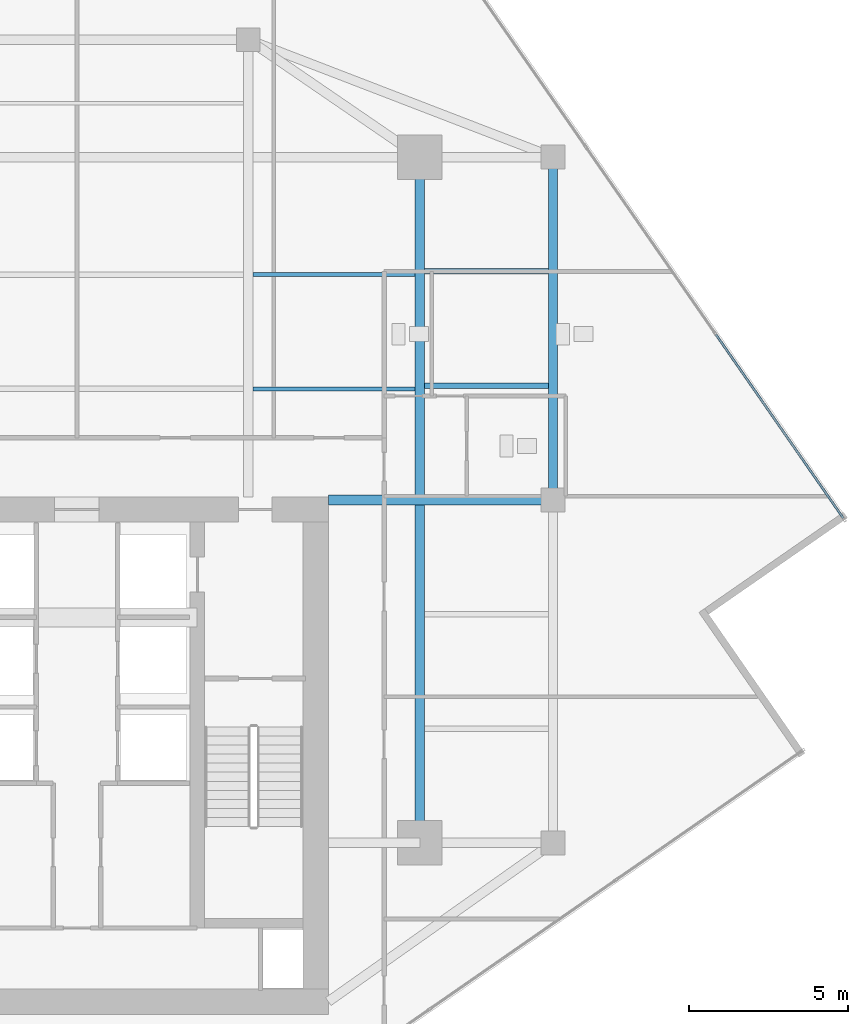
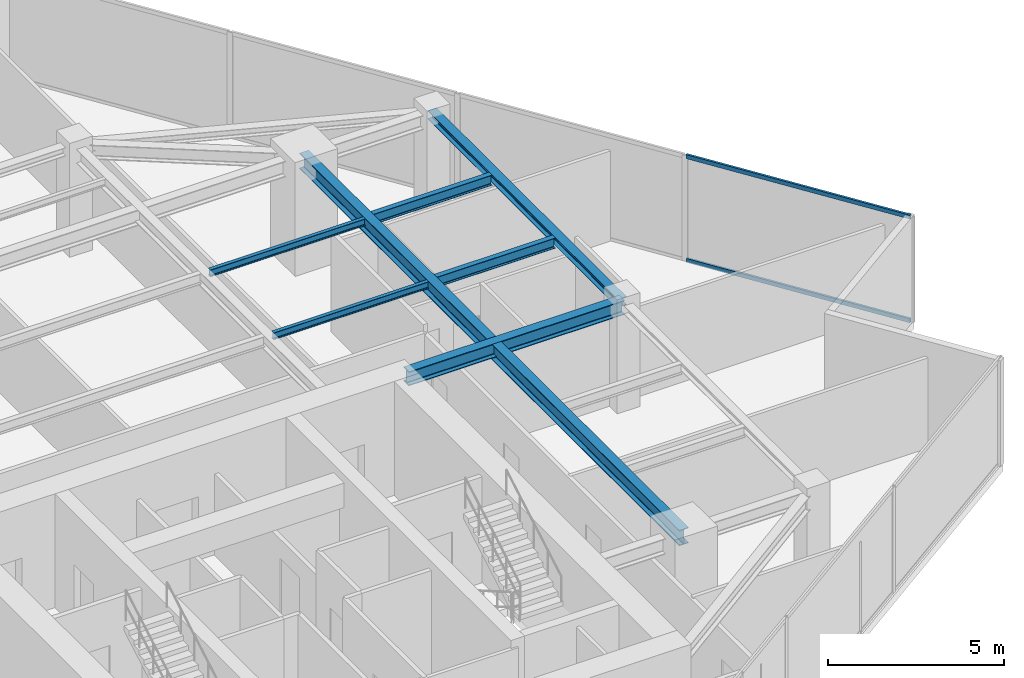
# One storey, part 10 of 21: 7 beams, 2 members, 1 element without a shape of its own.
"""IFC4 building model written with IfcOpenShell, lengths in metres."""

from ifc_helpers import new_model, si_unit, direction, frame, origin, origin_2d, place, context, subcontext, project, spatial, hollow_rectangle, i_section, extrude, source, transform, mapped, material, material_profile, profile_set, type_object, type_shapes, element, aggregate, save


model = new_model("IFC4")

# Units and contexts
model_context = context("Model", 3, precision=1e-05, world=origin(), true_north=direction((0.0, 1.0)))
body_context = subcontext(model_context, "Body", "Model", "MODEL_VIEW")
ifc_project = project(units=[si_unit("LENGTHUNIT", "METRE"), si_unit("AREAUNIT", "SQUARE_METRE"), si_unit("VOLUMEUNIT", "CUBIC_METRE"), si_unit("PLANEANGLEUNIT", "RADIAN"), si_unit("MASSUNIT", "GRAM", prefix="KILO")], contexts=[model_context])

# Site, building, storey
site_placement = place(None, origin())
site = spatial("IfcSite", under=ifc_project, at=site_placement, CompositionType="ELEMENT")
building_placement = place(site_placement, origin())
building = spatial("IfcBuilding", under=site, at=building_placement, Name="Krantzveldt Concourse Tower", CompositionType="ELEMENT")
storey_placement = place(building_placement, frame((0.0, 0.0, 279.25)))
storey = spatial("IfcBuildingStorey", under=building, at=storey_placement, Name="L68", CompositionType="ELEMENT", Elevation=279.25)

# Beams
ifc_material_1 = material(Name="Steel S355JR", Category="steel")
ifc_material_profile_1 = material_profile(ifc_material_1, i_section(OverallWidth=0.300048828125, OverallDepth=0.489990234375, WebThickness=0.011962890625, FlangeThickness=0.02294921875, FilletRadius=0.027099609375, at=origin_2d()), Name="Steel S355JR", Category="steel")
ifc_profile_set_1 = profile_set([ifc_material_profile_1], Name="Steel S355JR - HEA 500")
beam_type_1 = type_object("IfcBeamType", Name="BM-B-HEA500", PredefinedType="BEAM", material=ifc_profile_set_1)
shared_shape_1 = source(origin(), body_context, "Body", "SweptSolid", [
    extrude(i_section(OverallWidth=0.300048828125, OverallDepth=0.489990234375, WebThickness=0.011962890625, FlangeThickness=0.02294921875, FilletRadius=0.027099609375, at=origin_2d()), origin(), (0.0, 0.0, 1.0), 7.080078125),
])
type_shapes(beam_type_1, [shared_shape_1])
beam_1_placement = place(storey_placement, frame((43.919921875, 26.699951171875, 3.425048828125), z_axis=(1.0, 0.0, 0.0), x_axis=(0.0, 1.0, 0.0)))
element("IfcBeam", 1, at=beam_1_placement, inside=storey, type_object=beam_type_1, Name="L68 Tower Girder BG-CE2", PredefinedType="BEAM", context=body_context, shape_type="MappedRepresentation", body=[
    mapped(shared_shape_1, transform((0.0, 0.0, 0.0), x_axis=(1.0, 0.0, 0.0), y_axis=(0.0, 1.0, 0.0), z_axis=(0.0, 0.0, 1.0), scale=1.0)),
])
ifc_material_profile_2 = material_profile(ifc_material_1, i_section(OverallWidth=0.300048828125, OverallDepth=0.5400390625, WebThickness=0.012451171875, FlangeThickness=0.02392578125, FilletRadius=0.027099609375, at=origin_2d()), Name="Steel S355JR", Category="steel")
ifc_profile_set_2 = profile_set([ifc_material_profile_2], Name="Steel S355JR - HEA 550")
beam_type_2 = type_object("IfcBeamType", Name="BM-B-HEA550", PredefinedType="BEAM", material=ifc_profile_set_2)
shared_shape_2 = source(origin(), body_context, "Body", "SweptSolid", [
    extrude(i_section(OverallWidth=0.300048828125, OverallDepth=0.5400390625, WebThickness=0.012451171875, FlangeThickness=0.02392578125, FilletRadius=0.027099609375, at=origin_2d()), origin(), (0.0, 0.0, 1.0), 21.60009765625),
])
type_shapes(beam_type_2, [shared_shape_2])
beam_2_placement = place(storey_placement, frame((46.800048828125, 15.89990234375, 3.39990234375), z_axis=(0.0, 1.0, 0.0), x_axis=(-1.0, 0.0, 0.0)))
element("IfcBeam", 2, at=beam_2_placement, inside=storey, type_object=beam_type_2, Name="L68 Tower Girder BG-ME", PredefinedType="BEAM", context=body_context, shape_type="MappedRepresentation", body=[
    mapped(shared_shape_2, transform((0.0, 0.0, 0.0), x_axis=(1.0, 0.0, 0.0), y_axis=(0.0, 1.0, 0.0), z_axis=(0.0, 0.0, 1.0), scale=1.0)),
])
ifc_material_profile_3 = material_profile(ifc_material_1, i_section(OverallWidth=0.2900390625, OverallDepth=0.2900390625, WebThickness=0.008544921875, FlangeThickness=0.013916015625, FilletRadius=0.027099609375, at=origin_2d()), Name="Steel S355JR", Category="steel")
ifc_profile_set_3 = profile_set([ifc_material_profile_3], Name="Steel S355JR - HEA 300")
beam_type_3 = type_object("IfcBeamType", Name="BM-SP-HEA300", PredefinedType="SPANDREL", material=ifc_profile_set_3)
shared_shape_3 = source(origin(), body_context, "Body", "SweptSolid", [
    extrude(i_section(OverallWidth=0.2900390625, OverallDepth=0.2900390625, WebThickness=0.008544921875, FlangeThickness=0.013916015625, FilletRadius=0.027099609375, at=origin_2d()), origin(), (0.0, 0.0, 1.0), 10.800048828125),
])
type_shapes(beam_type_3, [shared_shape_3])
beam_3_placement = place(storey_placement, frame((51.0, 37.5, 3.52490234375), z_axis=(0.0, -1.0, 0.0), x_axis=(1.0, 0.0, 0.0)))
element("IfcBeam", 3, at=beam_3_placement, inside=storey, type_object=beam_type_3, Name="L68 Tower Girder SP-R06", PredefinedType="SPANDREL", context=body_context, shape_type="MappedRepresentation", body=[
    mapped(shared_shape_3, transform((0.0, 0.0, 0.0), x_axis=(1.0, 0.0, 0.0), y_axis=(0.0, 1.0, 0.0), z_axis=(0.0, 0.0, 1.0), scale=1.0)),
])
ifc_material_profile_4 = material_profile(ifc_material_1, i_section(OverallWidth=0.1201171875, OverallDepth=0.239990234375, WebThickness=0.006103515625, FlangeThickness=0.009765625, FilletRadius=0.014892578125, at=origin_2d()), Name="Steel S355JR", Category="steel")
ifc_profile_set_4 = profile_set([ifc_material_profile_4], Name="Steel S355JR - IPE 240")
beam_type_4 = type_object("IfcBeamType", Name="BM-LN-IPE240", PredefinedType="LINTEL", material=ifc_profile_set_4)
shared_shape_4 = source(origin(), body_context, "Body", "SweptSolid", [
    extrude(i_section(OverallWidth=0.1201171875, OverallDepth=0.239990234375, WebThickness=0.006103515625, FlangeThickness=0.009765625, FilletRadius=0.014892578125, at=origin_2d()), origin(), (0.0, 0.0, 1.0), 5.099853515625),
])
type_shapes(beam_type_4, [shared_shape_4])
for number, where, z_axis, x_axis, name in (
    (4, (41.550048828125, 30.199951171875, 3.550048828125), (1.0, 0.0, 0.0), (0.0, 1.0, 0.0), "L68 Secondary Floor Joist JN-E1"),
    (5, (41.550048828125, 33.800048828125, 3.550048828125), (1.0, 0.0, 0.0), (0.0, 1.0, 0.0), "L68 Secondary Floor Joist JN-E2"),
):
    element("IfcBeam", number, at=place(storey_placement, frame(where, z_axis=z_axis, x_axis=x_axis)), inside=storey, type_object=beam_type_4, Name=name, PredefinedType="LINTEL", context=body_context, shape_type="MappedRepresentation", body=[
        mapped(shared_shape_4, transform((0.0, 0.0, 0.0), x_axis=(1.0, 0.0, 0.0), y_axis=(0.0, 1.0, 0.0), z_axis=(0.0, 0.0, 1.0), scale=1.0)),
    ])
ifc_material_profile_5 = material_profile(ifc_material_1, i_section(OverallWidth=0.169921875, OverallDepth=0.360107421875, WebThickness=0.008056640625, FlangeThickness=0.0126953125, FilletRadius=0.01806640625, at=origin_2d()), Name="Steel S355JR", Category="steel")
ifc_profile_set_5 = profile_set([ifc_material_profile_5], Name="Steel S355JR - IPE 360")
beam_type_5 = type_object("IfcBeamType", Name="BM-J-IPE360", PredefinedType="JOIST", material=ifc_profile_set_5)
shared_shape_5 = source(origin(), body_context, "Body", "SweptSolid", [
    extrude(i_section(OverallWidth=0.169921875, OverallDepth=0.360107421875, WebThickness=0.008056640625, FlangeThickness=0.0126953125, FilletRadius=0.01806640625, at=origin_2d()), origin(), (0.0, 0.0, 1.0), 3.900146484375),
])
type_shapes(beam_type_5, [shared_shape_5])
for number, where, z_axis, x_axis, name in (
    (6, (46.949951171875, 30.300048828125, 3.489990234375), (1.0, 0.0, 0.0), (0.0, 1.0, 0.0), "L68 Secondary Floor Joist JE-3"),
    (7, (46.949951171875, 33.89990234375, 3.489990234375), (1.0, 0.0, 0.0), (0.0, 1.0, 0.0), "L68 Secondary Floor Joist JE-4"),
):
    element("IfcBeam", number, at=place(storey_placement, frame(where, z_axis=z_axis, x_axis=x_axis)), inside=storey, type_object=beam_type_5, Name=name, PredefinedType="JOIST", context=body_context, shape_type="MappedRepresentation", body=[
        mapped(shared_shape_5, transform((0.0, 0.0, 0.0), x_axis=(1.0, 0.0, 0.0), y_axis=(0.0, 1.0, 0.0), z_axis=(0.0, 0.0, 1.0), scale=1.0)),
    ])

# Curtain wall, members
ifc_material_2 = material(Name="Anodised aluminium 6063-T6", Category="aluminium")
curtain_wall_type = type_object("IfcCurtainWallType", Name="CW4", PredefinedType="USERDEFINED", material=ifc_material_2)
curtain_wall_placement = place(storey_placement, origin())
curtain_wall = element("IfcCurtainWall", 8, at=curtain_wall_placement, inside=storey, type_object=curtain_wall_type, Name="CW-L68-F14", ObjectType="UNITISED CURTAIN WALL", PredefinedType="USERDEFINED")
ifc_material_profile_6 = material_profile(ifc_material_2, hollow_rectangle(XDim=0.070068359375, YDim=0.139892578125, WallThickness=0.0048828125, at=origin_2d()), Name="Anodised aluminium 6063-T6", Category="aluminium")
ifc_profile_set_6 = profile_set([ifc_material_profile_6], Name="Anodised aluminium 6063-T6 - ALU-TRAN 140x70x5")
member_type = type_object("IfcMemberType", Name="CW-TRN-150", PredefinedType="USERDEFINED", material=ifc_profile_set_6)
shared_shape_6 = source(origin(), body_context, "Body", "SweptSolid", [
    extrude(hollow_rectangle(XDim=0.070068359375, YDim=0.139892578125, WallThickness=0.0048828125, at=origin_2d()), origin(), (0.0, 0.0, 1.0), 7.044921875),
])
type_shapes(member_type, [shared_shape_6])
member_1_placement = place(storey_placement, frame((60.141357421875, 26.128662109375, 0.034912109375), z_axis=(-0.570008026718, 0.821639123629, 0.0), x_axis=(-0.821639123629, -0.570008026718, 0.0)))
member_1 = element("IfcMember", 9, at=member_1_placement, type_object=member_type, Name="CW-Z56 transom 1.1", ObjectType="TRANSOM", PredefinedType="USERDEFINED", context=body_context, shape_type="MappedRepresentation", body=[
    mapped(shared_shape_6, transform((0.0, 0.0, 0.0), x_axis=(1.0, 0.0, 0.0), y_axis=(0.0, 1.0, 0.0), z_axis=(0.0, 0.0, 1.0), scale=1.0)),
])
member_2_placement = place(storey_placement, frame((60.141357421875, 26.128662109375, 3.635009765625), z_axis=(-0.570008026718, 0.821639123629, 0.0), x_axis=(-0.821639123629, -0.570008026718, 0.0)))
member_2 = element("IfcMember", 10, at=member_2_placement, type_object=member_type, Name="CW-Z56 transom 1.2", ObjectType="TRANSOM", PredefinedType="USERDEFINED", context=body_context, shape_type="MappedRepresentation", body=[
    mapped(shared_shape_6, transform((0.0, 0.0, 0.0), x_axis=(1.0, 0.0, 0.0), y_axis=(0.0, 1.0, 0.0), z_axis=(0.0, 0.0, 1.0), scale=1.0)),
])
aggregate(curtain_wall, [member_1, member_2])

save(model, "model.ifc")
